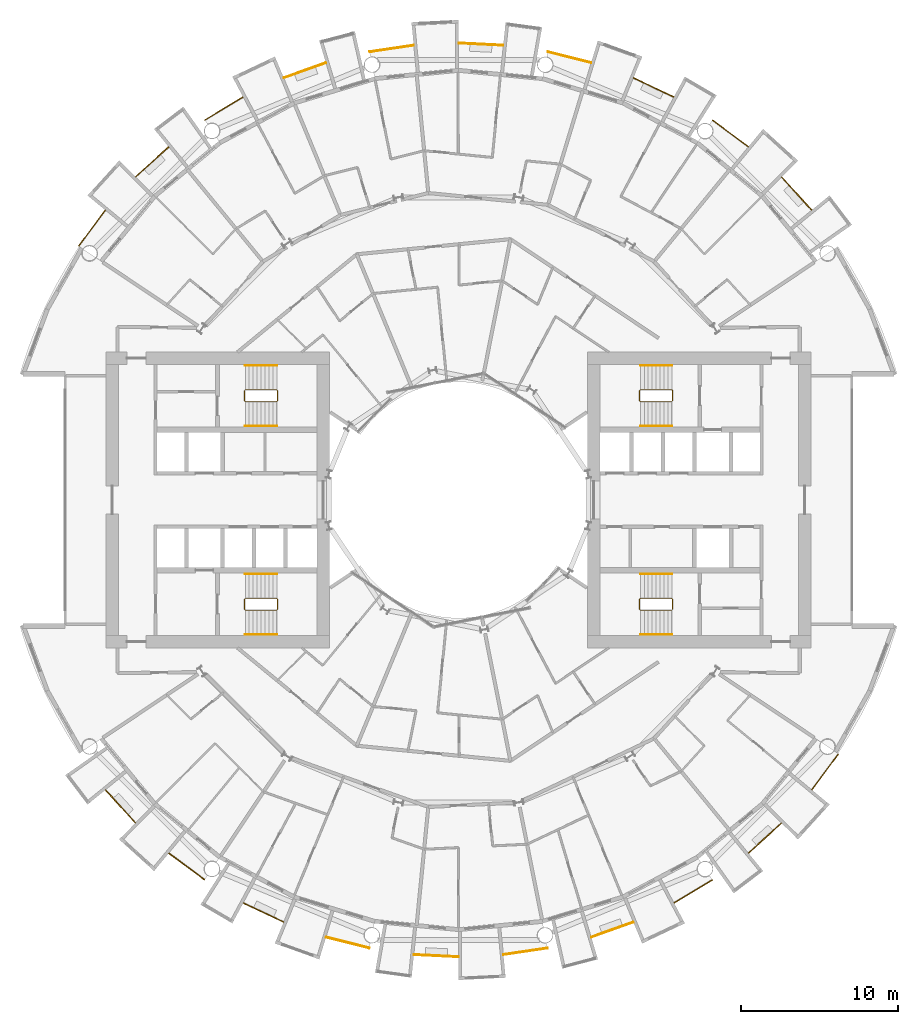
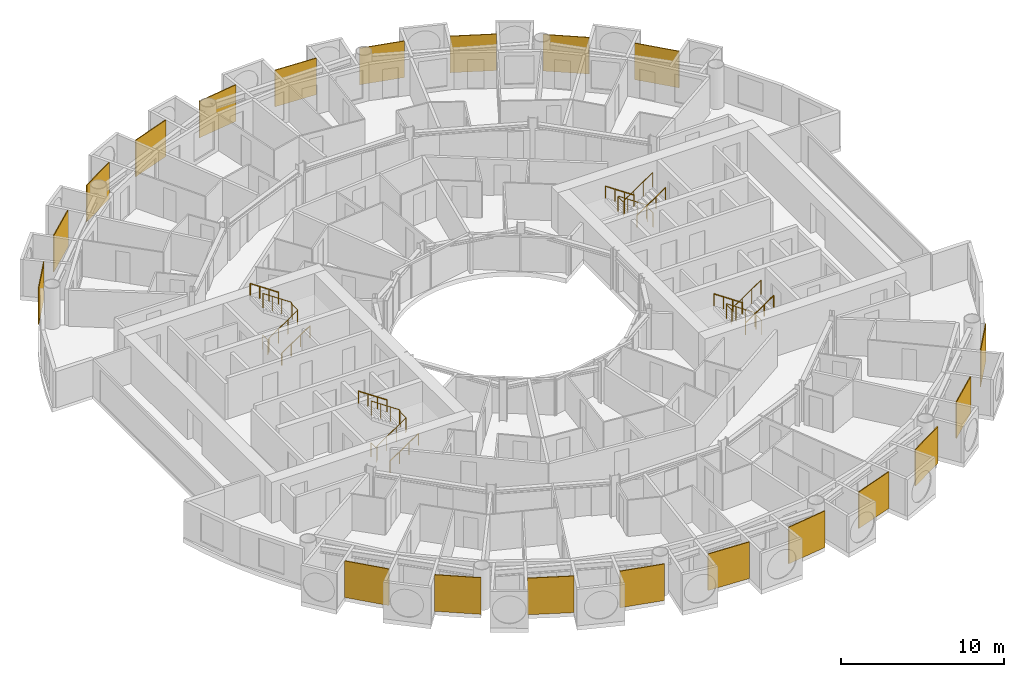
# One storey, part 26 of 26: 32 railings.
"""IFC4 building model written with IfcOpenShell, lengths in metres."""

from ifc_helpers import new_model, si_unit, direction, frame, origin, origin_2d, place, context, subcontext, project, spatial, polyline, circle, outline, extrude, material, layer, layer_set, type_object, element, save


model = new_model("IFC4")

# Units and contexts
model_context = context("Model", 3, precision=1e-05, world=origin(), true_north=direction((0.0, 1.0)))
body_context = subcontext(model_context, "Body", "Model", "MODEL_VIEW")
ifc_project = project(units=[si_unit("LENGTHUNIT", "METRE"), si_unit("AREAUNIT", "SQUARE_METRE"), si_unit("VOLUMEUNIT", "CUBIC_METRE"), si_unit("PLANEANGLEUNIT", "RADIAN"), si_unit("MASSUNIT", "GRAM", prefix="KILO")], contexts=[model_context])

# Site, building, storey
site_placement = place(None, origin())
site = spatial("IfcSite", under=ifc_project, at=site_placement, CompositionType="ELEMENT")
building_placement = place(site_placement, origin())
building = spatial("IfcBuilding", under=site, at=building_placement, Name="Maasbend Ring Residences", CompositionType="ELEMENT")
storey_placement = place(building_placement, frame((0.0, 0.0, 25.85009765625)))
storey = spatial("IfcBuildingStorey", under=building, at=storey_placement, Name="L06", CompositionType="ELEMENT", Elevation=25.85009765625)

# Railings
ifc_material_1 = material(Name="Pale anodised perforated aluminium", Category="aluminium")
ifc_layer = layer(ifc_material_1, 0.06005859375)
ifc_layer_set = layer_set([ifc_layer], Name="SCREEN-P")
railing_type_1 = type_object("IfcRailingType", Name="SCREEN-P", PredefinedType="GUARDRAIL", material=ifc_layer_set)
railing_1_placement = place(storey_placement, frame((0.0, 0.0, -0.030029296875)))
element("IfcRailing", 1, at=railing_1_placement, inside=storey, type_object=railing_type_1, Name="Perforated screen guard 1", PredefinedType="GUARDRAIL", context=body_context, shape_type="SweptSolid", body=[
    extrude(outline(polyline([(22.4169921875, 18.39697265625), (20.506103515625, 20.506103515625), (20.551025390625, 20.5458984375), (22.4619140625, 18.43798828125), (22.4169921875, 18.39697265625)])), origin(), (0.0, 0.0, 1.0), 2.72998046875),
])
railing_2_placement = place(storey_placement, frame((0.0, 0.0, -0.030029296875)))
element("IfcRailing", 2, at=railing_2_placement, inside=storey, type_object=railing_type_1, Name="Perforated screen guard 2", PredefinedType="GUARDRAIL", context=body_context, shape_type="SweptSolid", body=[
    extrude(outline(polyline([(18.39697265625, 22.4169921875), (16.112060546875, 24.113037109375), (16.14697265625, 24.160888671875), (18.43310546875, 22.465087890625), (18.39697265625, 22.4169921875)])), origin(), (0.0, 0.0, 1.0), 2.72998046875),
])
railing_3_placement = place(storey_placement, frame((0.0, 0.0, -0.030029296875)))
element("IfcRailing", 3, at=railing_3_placement, inside=storey, type_object=railing_type_1, Name="Perforated screen guard 3", PredefinedType="GUARDRAIL", context=body_context, shape_type="SweptSolid", body=[
    extrude(outline(polyline([(13.6708984375, 25.575927734375), (11.097900390625, 26.79296875), (11.123046875, 26.846923828125), (13.696044921875, 25.6298828125), (13.6708984375, 25.575927734375)])), origin(), (0.0, 0.0, 1.0), 2.72998046875),
])
railing_4_placement = place(storey_placement, frame((0.0, 0.0, -0.030029296875)))
element("IfcRailing", 4, at=railing_4_placement, inside=storey, type_object=railing_type_1, Name="Perforated screen guard 4", PredefinedType="GUARDRAIL", context=body_context, shape_type="SweptSolid", body=[
    extrude(outline(polyline([(8.41796875, 27.7509765625), (5.657958984375, 28.443115234375), (5.672119140625, 28.5009765625), (8.43310546875, 27.80908203125), (8.41796875, 27.7509765625)])), origin(), (0.0, 0.0, 1.0), 2.72998046875),
])
railing_5_placement = place(storey_placement, frame((0.0, 0.0, -0.030029296875)))
element("IfcRailing", 5, at=railing_5_placement, inside=storey, type_object=railing_type_1, Name="Perforated screen guard 5", PredefinedType="GUARDRAIL", context=body_context, shape_type="SweptSolid", body=[
    extrude(outline(polyline([(2.842041015625, 28.860107421875), (0.0, 29.0), (0.0029296875, 29.06005859375), (2.844970703125, 28.919921875), (2.842041015625, 28.860107421875)])), origin(), (0.0, 0.0, 1.0), 2.72998046875),
])
railing_6_placement = place(storey_placement, frame((0.0, 0.0, -0.030029296875)))
element("IfcRailing", 6, at=railing_6_placement, inside=storey, type_object=railing_type_1, Name="Perforated screen guard 6", PredefinedType="GUARDRAIL", context=body_context, shape_type="SweptSolid", body=[
    extrude(outline(polyline([(-2.842041015625, 28.860107421875), (-5.657958984375, 28.443115234375), (-5.666015625, 28.501953125), (-2.85107421875, 28.919921875), (-2.842041015625, 28.860107421875)])), origin(), (0.0, 0.0, 1.0), 2.72998046875),
])
railing_7_placement = place(storey_placement, frame((0.0, 0.0, -0.030029296875)))
element("IfcRailing", 7, at=railing_7_placement, inside=storey, type_object=railing_type_1, Name="Perforated screen guard 7", PredefinedType="GUARDRAIL", context=body_context, shape_type="SweptSolid", body=[
    extrude(outline(polyline([(-8.41796875, 27.7509765625), (-11.097900390625, 26.79296875), (-11.117919921875, 26.84912109375), (-8.43798828125, 27.80810546875), (-8.41796875, 27.7509765625)])), origin(), (0.0, 0.0, 1.0), 2.72998046875),
])
railing_8_placement = place(storey_placement, frame((0.0, 0.0, -0.030029296875)))
element("IfcRailing", 8, at=railing_8_placement, inside=storey, type_object=railing_type_1, Name="Perforated screen guard 8", PredefinedType="GUARDRAIL", context=body_context, shape_type="SweptSolid", body=[
    extrude(outline(polyline([(-13.6708984375, 25.575927734375), (-16.112060546875, 24.113037109375), (-16.14208984375, 24.1640625), (-13.700927734375, 25.626953125), (-13.6708984375, 25.575927734375)])), origin(), (0.0, 0.0, 1.0), 2.72998046875),
])
railing_9_placement = place(storey_placement, frame((0.0, 0.0, -0.030029296875)))
element("IfcRailing", 9, at=railing_9_placement, inside=storey, type_object=railing_type_1, Name="Perforated screen guard 9", PredefinedType="GUARDRAIL", context=body_context, shape_type="SweptSolid", body=[
    extrude(outline(polyline([(-18.39697265625, 22.4169921875), (-20.506103515625, 20.506103515625), (-20.5458984375, 20.551025390625), (-18.43798828125, 22.4619140625), (-18.39697265625, 22.4169921875)])), origin(), (0.0, 0.0, 1.0), 2.72998046875),
])
railing_10_placement = place(storey_placement, frame((0.0, 0.0, -0.030029296875)))
element("IfcRailing", 10, at=railing_10_placement, inside=storey, type_object=railing_type_1, Name="Perforated screen guard 10", PredefinedType="GUARDRAIL", context=body_context, shape_type="SweptSolid", body=[
    extrude(outline(polyline([(-22.4169921875, 18.39697265625), (-24.113037109375, 16.112060546875), (-24.160888671875, 16.14697265625), (-22.465087890625, 18.43310546875), (-22.4169921875, 18.39697265625)])), origin(), (0.0, 0.0, 1.0), 2.72998046875),
])
railing_11_placement = place(storey_placement, frame((0.0, 0.0, -0.030029296875)))
element("IfcRailing", 11, at=railing_11_placement, inside=storey, type_object=railing_type_1, Name="Perforated screen guard 1", PredefinedType="GUARDRAIL", context=body_context, shape_type="SweptSolid", body=[
    extrude(outline(polyline([(-22.4169921875, -18.39697265625), (-20.506103515625, -20.506103515625), (-20.551025390625, -20.5458984375), (-22.4619140625, -18.43798828125), (-22.4169921875, -18.39697265625)])), origin(), (0.0, 0.0, 1.0), 2.72998046875),
])
railing_12_placement = place(storey_placement, frame((0.0, 0.0, -0.030029296875)))
element("IfcRailing", 12, at=railing_12_placement, inside=storey, type_object=railing_type_1, Name="Perforated screen guard 2", PredefinedType="GUARDRAIL", context=body_context, shape_type="SweptSolid", body=[
    extrude(outline(polyline([(-18.39697265625, -22.4169921875), (-16.112060546875, -24.113037109375), (-16.14697265625, -24.160888671875), (-18.43310546875, -22.465087890625), (-18.39697265625, -22.4169921875)])), origin(), (0.0, 0.0, 1.0), 2.72998046875),
])
railing_13_placement = place(storey_placement, frame((0.0, 0.0, -0.030029296875)))
element("IfcRailing", 13, at=railing_13_placement, inside=storey, type_object=railing_type_1, Name="Perforated screen guard 3", PredefinedType="GUARDRAIL", context=body_context, shape_type="SweptSolid", body=[
    extrude(outline(polyline([(-13.6708984375, -25.575927734375), (-11.097900390625, -26.79296875), (-11.123046875, -26.846923828125), (-13.696044921875, -25.6298828125), (-13.6708984375, -25.575927734375)])), origin(), (0.0, 0.0, 1.0), 2.72998046875),
])
railing_14_placement = place(storey_placement, frame((0.0, 0.0, -0.030029296875)))
element("IfcRailing", 14, at=railing_14_placement, inside=storey, type_object=railing_type_1, Name="Perforated screen guard 4", PredefinedType="GUARDRAIL", context=body_context, shape_type="SweptSolid", body=[
    extrude(outline(polyline([(-8.41796875, -27.7509765625), (-5.657958984375, -28.443115234375), (-5.672119140625, -28.5009765625), (-8.43310546875, -27.80908203125), (-8.41796875, -27.7509765625)])), origin(), (0.0, 0.0, 1.0), 2.72998046875),
])
railing_15_placement = place(storey_placement, frame((0.0, 0.0, -0.030029296875)))
element("IfcRailing", 15, at=railing_15_placement, inside=storey, type_object=railing_type_1, Name="Perforated screen guard 5", PredefinedType="GUARDRAIL", context=body_context, shape_type="SweptSolid", body=[
    extrude(outline(polyline([(-2.842041015625, -28.860107421875), (0.0, -29.0), (-0.0029296875, -29.06005859375), (-2.844970703125, -28.919921875), (-2.842041015625, -28.860107421875)])), origin(), (0.0, 0.0, 1.0), 2.72998046875),
])
railing_16_placement = place(storey_placement, frame((0.0, 0.0, -0.030029296875)))
element("IfcRailing", 16, at=railing_16_placement, inside=storey, type_object=railing_type_1, Name="Perforated screen guard 6", PredefinedType="GUARDRAIL", context=body_context, shape_type="SweptSolid", body=[
    extrude(outline(polyline([(2.842041015625, -28.860107421875), (5.657958984375, -28.443115234375), (5.666015625, -28.501953125), (2.85107421875, -28.919921875), (2.842041015625, -28.860107421875)])), origin(), (0.0, 0.0, 1.0), 2.72998046875),
])
railing_17_placement = place(storey_placement, frame((0.0, 0.0, -0.030029296875)))
element("IfcRailing", 17, at=railing_17_placement, inside=storey, type_object=railing_type_1, Name="Perforated screen guard 7", PredefinedType="GUARDRAIL", context=body_context, shape_type="SweptSolid", body=[
    extrude(outline(polyline([(8.41796875, -27.7509765625), (11.097900390625, -26.79296875), (11.117919921875, -26.84912109375), (8.43798828125, -27.80810546875), (8.41796875, -27.7509765625)])), origin(), (0.0, 0.0, 1.0), 2.72998046875),
])
railing_18_placement = place(storey_placement, frame((0.0, 0.0, -0.030029296875)))
element("IfcRailing", 18, at=railing_18_placement, inside=storey, type_object=railing_type_1, Name="Perforated screen guard 8", PredefinedType="GUARDRAIL", context=body_context, shape_type="SweptSolid", body=[
    extrude(outline(polyline([(13.6708984375, -25.575927734375), (16.112060546875, -24.113037109375), (16.14208984375, -24.1640625), (13.700927734375, -25.626953125), (13.6708984375, -25.575927734375)])), origin(), (0.0, 0.0, 1.0), 2.72998046875),
])
railing_19_placement = place(storey_placement, frame((0.0, 0.0, -0.030029296875)))
element("IfcRailing", 19, at=railing_19_placement, inside=storey, type_object=railing_type_1, Name="Perforated screen guard 9", PredefinedType="GUARDRAIL", context=body_context, shape_type="SweptSolid", body=[
    extrude(outline(polyline([(18.39697265625, -22.4169921875), (20.506103515625, -20.506103515625), (20.5458984375, -20.551025390625), (18.43798828125, -22.4619140625), (18.39697265625, -22.4169921875)])), origin(), (0.0, 0.0, 1.0), 2.72998046875),
])
railing_20_placement = place(storey_placement, frame((0.0, 0.0, -0.030029296875)))
element("IfcRailing", 20, at=railing_20_placement, inside=storey, type_object=railing_type_1, Name="Perforated screen guard 10", PredefinedType="GUARDRAIL", context=body_context, shape_type="SweptSolid", body=[
    extrude(outline(polyline([(22.4169921875, -18.39697265625), (24.113037109375, -16.112060546875), (24.160888671875, -16.14697265625), (22.465087890625, -18.43310546875), (22.4169921875, -18.39697265625)])), origin(), (0.0, 0.0, 1.0), 2.72998046875),
])
ifc_material_2 = material(Name="Stainless steel 316", Category="steel")
railing_type_2 = type_object("IfcRailingType", Name="STAIR GUARD 1100", PredefinedType="GUARDRAIL", material=ifc_material_2)
railing_21_placement = place(storey_placement, frame((13.60009765625, 6.300048828125, 0.0)))
element("IfcRailing", 21, at=railing_21_placement, inside=storey, type_object=railing_type_2, Name="L06 ST-E1 stair guard 1", PredefinedType="GUARDRAIL", context=body_context, shape_type="SweptSolid", body=[
    extrude(circle(Radius=0.02392578125, at=origin_2d()), frame((0.0, 0.0, 1.076171875), z_axis=(0.0, 1.0, 0.0), x_axis=(-1.0, 0.0, 0.0)), (0.0, 0.0, 1.0), 0.64990234375),
    extrude(circle(Radius=0.02392578125, at=origin_2d()), frame((0.0, 0.64990234375, 1.076171875), z_axis=(-0.272562526181, 0.272562526181, 0.92272386912), x_axis=(-0.707106781187, -0.707106781187, 0.0)), (0.0, 0.0, 1.0), 0.18359375),
    extrude(circle(Radius=0.02392578125, at=origin_2d()), frame((-0.050048828125, 0.699951171875, 1.24560546875), z_axis=(-0.827797584762, 0.0, 0.561026878735), x_axis=(0.0, -1.0, 0.0)), (0.0, 0.0, 1.0), 2.416015625),
    extrude(circle(Radius=0.02392578125, at=origin_2d()), frame((-2.050048828125, 0.699951171875, 2.60107421875), z_axis=(-0.707106781187, -0.707106781187, 0.0), x_axis=(0.707106781187, -0.707106781187, 0.0)), (0.0, 0.0, 1.0), 0.07080078125),
    extrude(circle(Radius=0.02392578125, at=origin_2d()), frame((-2.10009765625, 0.64990234375, 2.60107421875), z_axis=(0.0, -1.0, 0.0), x_axis=(1.0, 0.0, 0.0)), (0.0, 0.0, 1.0), 0.64990234375),
    extrude(circle(Radius=0.02392578125, at=origin_2d()), frame((-2.10009765625, 0.0, 2.60107421875), z_axis=(0.272562526181, -0.272562526181, 0.92272386912), x_axis=(0.707106781187, 0.707106781187, 0.0)), (0.0, 0.0, 1.0), 0.18359375),
    extrude(circle(Radius=0.02392578125, at=origin_2d()), frame((-2.050048828125, -0.050048828125, 2.7705078125), z_axis=(0.827797584762, 0.0, 0.561026878735), x_axis=(0.0, 1.0, 0.0)), (0.0, 0.0, 1.0), 2.416015625),
    extrude(circle(Radius=0.02099609375, at=origin_2d()), origin(), (0.0, 0.0, 1.0), 1.052001953125),
    extrude(circle(Radius=0.02099609375, at=origin_2d()), frame((0.0, 0.64990234375, 0.0)), (0.0, 0.0, 1.0), 1.052001953125),
    extrude(circle(Radius=0.02099609375, at=origin_2d()), frame((-0.050048828125, 0.699951171875, 0.16943359375)), (0.0, 0.0, 1.0), 1.052001953125),
    extrude(circle(Radius=0.02099609375, at=origin_2d()), frame((-0.716796875, 0.699951171875, 0.621337890625)), (0.0, 0.0, 1.0), 1.052001953125),
    extrude(circle(Radius=0.02099609375, at=origin_2d()), frame((-1.38330078125, 0.699951171875, 1.072998046875)), (0.0, 0.0, 1.0), 1.052001953125),
    extrude(circle(Radius=0.02099609375, at=origin_2d()), frame((-2.050048828125, 0.699951171875, 1.52490234375)), (0.0, 0.0, 1.0), 1.052001953125),
    extrude(circle(Radius=0.02099609375, at=origin_2d()), frame((-2.10009765625, 0.64990234375, 1.52490234375)), (0.0, 0.0, 1.0), 1.052001953125),
    extrude(circle(Radius=0.02099609375, at=origin_2d()), frame((-2.10009765625, 0.0, 1.52490234375)), (0.0, 0.0, 1.0), 1.052001953125),
    extrude(circle(Radius=0.02099609375, at=origin_2d()), frame((-2.050048828125, -0.050048828125, 1.6943359375)), (0.0, 0.0, 1.0), 1.052001953125),
    extrude(circle(Radius=0.02099609375, at=origin_2d()), frame((-1.38330078125, -0.050048828125, 2.146240234375)), (0.0, 0.0, 1.0), 1.052001953125),
    extrude(circle(Radius=0.02099609375, at=origin_2d()), frame((-0.716796875, -0.050048828125, 2.597900390625)), (0.0, 0.0, 1.0), 1.052001953125),
    extrude(circle(Radius=0.02099609375, at=origin_2d()), frame((-0.050048828125, -0.050048828125, 3.0498046875)), (0.0, 0.0, 1.0), 1.052001953125),
])
railing_22_placement = place(storey_placement, frame((13.60009765625, -6.949951171875, 0.0)))
element("IfcRailing", 22, at=railing_22_placement, inside=storey, type_object=railing_type_2, Name="L06 ST-E2 stair guard 1", PredefinedType="GUARDRAIL", context=body_context, shape_type="SweptSolid", body=[
    extrude(circle(Radius=0.02392578125, at=origin_2d()), frame((0.0, 0.0, 1.076171875), z_axis=(0.0, 1.0, 0.0), x_axis=(-1.0, 0.0, 0.0)), (0.0, 0.0, 1.0), 0.64990234375),
    extrude(circle(Radius=0.02392578125, at=origin_2d()), frame((0.0, 0.64990234375, 1.076171875), z_axis=(-0.272562526181, 0.272562526181, 0.92272386912), x_axis=(-0.707106781187, -0.707106781187, 0.0)), (0.0, 0.0, 1.0), 0.18359375),
    extrude(circle(Radius=0.02392578125, at=origin_2d()), frame((-0.050048828125, 0.699951171875, 1.24560546875), z_axis=(-0.827797584762, 0.0, 0.561026878735), x_axis=(0.0, -1.0, 0.0)), (0.0, 0.0, 1.0), 2.416015625),
    extrude(circle(Radius=0.02392578125, at=origin_2d()), frame((-2.050048828125, 0.699951171875, 2.60107421875), z_axis=(-0.707106781187, -0.707106781187, 0.0), x_axis=(0.707106781187, -0.707106781187, 0.0)), (0.0, 0.0, 1.0), 0.07080078125),
    extrude(circle(Radius=0.02392578125, at=origin_2d()), frame((-2.10009765625, 0.64990234375, 2.60107421875), z_axis=(0.0, -1.0, 0.0), x_axis=(1.0, 0.0, 0.0)), (0.0, 0.0, 1.0), 0.64990234375),
    extrude(circle(Radius=0.02392578125, at=origin_2d()), frame((-2.10009765625, 0.0, 2.60107421875), z_axis=(0.272562526181, -0.272562526181, 0.92272386912), x_axis=(0.707106781187, 0.707106781187, 0.0)), (0.0, 0.0, 1.0), 0.18359375),
    extrude(circle(Radius=0.02392578125, at=origin_2d()), frame((-2.050048828125, -0.050048828125, 2.7705078125), z_axis=(0.827797584762, 0.0, 0.561026878735), x_axis=(0.0, 1.0, 0.0)), (0.0, 0.0, 1.0), 2.416015625),
    extrude(circle(Radius=0.02099609375, at=origin_2d()), origin(), (0.0, 0.0, 1.0), 1.052001953125),
    extrude(circle(Radius=0.02099609375, at=origin_2d()), frame((0.0, 0.64990234375, 0.0)), (0.0, 0.0, 1.0), 1.052001953125),
    extrude(circle(Radius=0.02099609375, at=origin_2d()), frame((-0.050048828125, 0.699951171875, 0.16943359375)), (0.0, 0.0, 1.0), 1.052001953125),
    extrude(circle(Radius=0.02099609375, at=origin_2d()), frame((-0.716796875, 0.699951171875, 0.621337890625)), (0.0, 0.0, 1.0), 1.052001953125),
    extrude(circle(Radius=0.02099609375, at=origin_2d()), frame((-1.38330078125, 0.699951171875, 1.072998046875)), (0.0, 0.0, 1.0), 1.052001953125),
    extrude(circle(Radius=0.02099609375, at=origin_2d()), frame((-2.050048828125, 0.699951171875, 1.52490234375)), (0.0, 0.0, 1.0), 1.052001953125),
    extrude(circle(Radius=0.02099609375, at=origin_2d()), frame((-2.10009765625, 0.64990234375, 1.52490234375)), (0.0, 0.0, 1.0), 1.052001953125),
    extrude(circle(Radius=0.02099609375, at=origin_2d()), frame((-2.10009765625, 0.0, 1.52490234375)), (0.0, 0.0, 1.0), 1.052001953125),
    extrude(circle(Radius=0.02099609375, at=origin_2d()), frame((-2.050048828125, -0.050048828125, 1.6943359375)), (0.0, 0.0, 1.0), 1.052001953125),
    extrude(circle(Radius=0.02099609375, at=origin_2d()), frame((-1.38330078125, -0.050048828125, 2.146240234375)), (0.0, 0.0, 1.0), 1.052001953125),
    extrude(circle(Radius=0.02099609375, at=origin_2d()), frame((-0.716796875, -0.050048828125, 2.597900390625)), (0.0, 0.0, 1.0), 1.052001953125),
    extrude(circle(Radius=0.02099609375, at=origin_2d()), frame((-0.050048828125, -0.050048828125, 3.0498046875)), (0.0, 0.0, 1.0), 1.052001953125),
])
railing_23_placement = place(storey_placement, frame((-13.60009765625, -6.300048828125, 0.0)))
element("IfcRailing", 23, at=railing_23_placement, inside=storey, type_object=railing_type_2, Name="L06 ST-W1 stair guard 1", PredefinedType="GUARDRAIL", context=body_context, shape_type="SweptSolid", body=[
    extrude(circle(Radius=0.02392578125, at=origin_2d()), frame((0.0, 0.0, 1.076171875), z_axis=(0.0, -1.0, 0.0), x_axis=(1.0, 0.0, 0.0)), (0.0, 0.0, 1.0), 0.64990234375),
    extrude(circle(Radius=0.02392578125, at=origin_2d()), frame((0.0, -0.64990234375, 1.076171875), z_axis=(0.272562526181, -0.272562526181, 0.92272386912), x_axis=(0.707106781187, 0.707106781187, 0.0)), (0.0, 0.0, 1.0), 0.18359375),
    extrude(circle(Radius=0.02392578125, at=origin_2d()), frame((0.050048828125, -0.699951171875, 1.24560546875), z_axis=(0.827797584762, 0.0, 0.561026878735), x_axis=(0.0, 1.0, 0.0)), (0.0, 0.0, 1.0), 2.416015625),
    extrude(circle(Radius=0.02392578125, at=origin_2d()), frame((2.050048828125, -0.699951171875, 2.60107421875), z_axis=(0.707106781187, 0.707106781187, 0.0), x_axis=(-0.707106781187, 0.707106781187, 0.0)), (0.0, 0.0, 1.0), 0.07080078125),
    extrude(circle(Radius=0.02392578125, at=origin_2d()), frame((2.10009765625, -0.64990234375, 2.60107421875), z_axis=(0.0, 1.0, 0.0), x_axis=(-1.0, 0.0, 0.0)), (0.0, 0.0, 1.0), 0.64990234375),
    extrude(circle(Radius=0.02392578125, at=origin_2d()), frame((2.10009765625, 0.0, 2.60107421875), z_axis=(-0.272562526181, 0.272562526181, 0.92272386912), x_axis=(-0.707106781187, -0.707106781187, 0.0)), (0.0, 0.0, 1.0), 0.18359375),
    extrude(circle(Radius=0.02392578125, at=origin_2d()), frame((2.050048828125, 0.050048828125, 2.7705078125), z_axis=(-0.827797584762, 0.0, 0.561026878735), x_axis=(0.0, -1.0, 0.0)), (0.0, 0.0, 1.0), 2.416015625),
    extrude(circle(Radius=0.02099609375, at=origin_2d()), origin(), (0.0, 0.0, 1.0), 1.052001953125),
    extrude(circle(Radius=0.02099609375, at=origin_2d()), frame((0.0, -0.64990234375, 0.0)), (0.0, 0.0, 1.0), 1.052001953125),
    extrude(circle(Radius=0.02099609375, at=origin_2d()), frame((0.050048828125, -0.699951171875, 0.16943359375)), (0.0, 0.0, 1.0), 1.052001953125),
    extrude(circle(Radius=0.02099609375, at=origin_2d()), frame((0.716796875, -0.699951171875, 0.621337890625)), (0.0, 0.0, 1.0), 1.052001953125),
    extrude(circle(Radius=0.02099609375, at=origin_2d()), frame((1.38330078125, -0.699951171875, 1.072998046875)), (0.0, 0.0, 1.0), 1.052001953125),
    extrude(circle(Radius=0.02099609375, at=origin_2d()), frame((2.050048828125, -0.699951171875, 1.52490234375)), (0.0, 0.0, 1.0), 1.052001953125),
    extrude(circle(Radius=0.02099609375, at=origin_2d()), frame((2.10009765625, -0.64990234375, 1.52490234375)), (0.0, 0.0, 1.0), 1.052001953125),
    extrude(circle(Radius=0.02099609375, at=origin_2d()), frame((2.10009765625, 0.0, 1.52490234375)), (0.0, 0.0, 1.0), 1.052001953125),
    extrude(circle(Radius=0.02099609375, at=origin_2d()), frame((2.050048828125, 0.050048828125, 1.6943359375)), (0.0, 0.0, 1.0), 1.052001953125),
    extrude(circle(Radius=0.02099609375, at=origin_2d()), frame((1.38330078125, 0.050048828125, 2.146240234375)), (0.0, 0.0, 1.0), 1.052001953125),
    extrude(circle(Radius=0.02099609375, at=origin_2d()), frame((0.716796875, 0.050048828125, 2.597900390625)), (0.0, 0.0, 1.0), 1.052001953125),
    extrude(circle(Radius=0.02099609375, at=origin_2d()), frame((0.050048828125, 0.050048828125, 3.0498046875)), (0.0, 0.0, 1.0), 1.052001953125),
])
railing_24_placement = place(storey_placement, frame((-13.60009765625, 6.949951171875, 0.0)))
element("IfcRailing", 24, at=railing_24_placement, inside=storey, type_object=railing_type_2, Name="L06 ST-W2 stair guard 1", PredefinedType="GUARDRAIL", context=body_context, shape_type="SweptSolid", body=[
    extrude(circle(Radius=0.02392578125, at=origin_2d()), frame((0.0, 0.0, 1.076171875), z_axis=(0.0, -1.0, 0.0), x_axis=(1.0, 0.0, 0.0)), (0.0, 0.0, 1.0), 0.64990234375),
    extrude(circle(Radius=0.02392578125, at=origin_2d()), frame((0.0, -0.64990234375, 1.076171875), z_axis=(0.272562526181, -0.272562526181, 0.92272386912), x_axis=(0.707106781187, 0.707106781187, 0.0)), (0.0, 0.0, 1.0), 0.18359375),
    extrude(circle(Radius=0.02392578125, at=origin_2d()), frame((0.050048828125, -0.699951171875, 1.24560546875), z_axis=(0.827797584762, 0.0, 0.561026878735), x_axis=(0.0, 1.0, 0.0)), (0.0, 0.0, 1.0), 2.416015625),
    extrude(circle(Radius=0.02392578125, at=origin_2d()), frame((2.050048828125, -0.699951171875, 2.60107421875), z_axis=(0.707106781187, 0.707106781187, 0.0), x_axis=(-0.707106781187, 0.707106781187, 0.0)), (0.0, 0.0, 1.0), 0.07080078125),
    extrude(circle(Radius=0.02392578125, at=origin_2d()), frame((2.10009765625, -0.64990234375, 2.60107421875), z_axis=(0.0, 1.0, 0.0), x_axis=(-1.0, 0.0, 0.0)), (0.0, 0.0, 1.0), 0.64990234375),
    extrude(circle(Radius=0.02392578125, at=origin_2d()), frame((2.10009765625, 0.0, 2.60107421875), z_axis=(-0.272562526181, 0.272562526181, 0.92272386912), x_axis=(-0.707106781187, -0.707106781187, 0.0)), (0.0, 0.0, 1.0), 0.18359375),
    extrude(circle(Radius=0.02392578125, at=origin_2d()), frame((2.050048828125, 0.050048828125, 2.7705078125), z_axis=(-0.827797584762, 0.0, 0.561026878735), x_axis=(0.0, -1.0, 0.0)), (0.0, 0.0, 1.0), 2.416015625),
    extrude(circle(Radius=0.02099609375, at=origin_2d()), origin(), (0.0, 0.0, 1.0), 1.052001953125),
    extrude(circle(Radius=0.02099609375, at=origin_2d()), frame((0.0, -0.64990234375, 0.0)), (0.0, 0.0, 1.0), 1.052001953125),
    extrude(circle(Radius=0.02099609375, at=origin_2d()), frame((0.050048828125, -0.699951171875, 0.16943359375)), (0.0, 0.0, 1.0), 1.052001953125),
    extrude(circle(Radius=0.02099609375, at=origin_2d()), frame((0.716796875, -0.699951171875, 0.621337890625)), (0.0, 0.0, 1.0), 1.052001953125),
    extrude(circle(Radius=0.02099609375, at=origin_2d()), frame((1.38330078125, -0.699951171875, 1.072998046875)), (0.0, 0.0, 1.0), 1.052001953125),
    extrude(circle(Radius=0.02099609375, at=origin_2d()), frame((2.050048828125, -0.699951171875, 1.52490234375)), (0.0, 0.0, 1.0), 1.052001953125),
    extrude(circle(Radius=0.02099609375, at=origin_2d()), frame((2.10009765625, -0.64990234375, 1.52490234375)), (0.0, 0.0, 1.0), 1.052001953125),
    extrude(circle(Radius=0.02099609375, at=origin_2d()), frame((2.10009765625, 0.0, 1.52490234375)), (0.0, 0.0, 1.0), 1.052001953125),
    extrude(circle(Radius=0.02099609375, at=origin_2d()), frame((2.050048828125, 0.050048828125, 1.6943359375)), (0.0, 0.0, 1.0), 1.052001953125),
    extrude(circle(Radius=0.02099609375, at=origin_2d()), frame((1.38330078125, 0.050048828125, 2.146240234375)), (0.0, 0.0, 1.0), 1.052001953125),
    extrude(circle(Radius=0.02099609375, at=origin_2d()), frame((0.716796875, 0.050048828125, 2.597900390625)), (0.0, 0.0, 1.0), 1.052001953125),
    extrude(circle(Radius=0.02099609375, at=origin_2d()), frame((0.050048828125, 0.050048828125, 3.0498046875)), (0.0, 0.0, 1.0), 1.052001953125),
])
ifc_material_3 = material(Name="Stainless steel 316", Category="steel")
railing_type_3 = type_object("IfcRailingType", Name="STAIR HANDRAIL 900", PredefinedType="HANDRAIL", material=ifc_material_3)
railing_25_placement = place(storey_placement, frame((13.550048828125, 8.550048828125, 0.16943359375)))
element("IfcRailing", 25, at=railing_25_placement, inside=storey, type_object=railing_type_3, Name="L06 ST-E1 stair handrail 1", PredefinedType="HANDRAIL", context=body_context, shape_type="SweptSolid", body=[
    extrude(circle(Radius=0.02392578125, at=origin_2d()), frame((0.0, 0.0, 0.8759765625), z_axis=(-0.827797584762, 0.0, 0.561026878735), x_axis=(0.0, -1.0, 0.0)), (0.0, 0.0, 1.0), 2.416015625),
    extrude(circle(Radius=0.02099609375, at=origin_2d()), origin(), (0.0, 0.0, 1.0), 0.851806640625),
    extrude(circle(Radius=0.02099609375, at=origin_2d()), frame((-0.666748046875, 0.0, 0.451904296875)), (0.0, 0.0, 1.0), 0.851806640625),
    extrude(circle(Radius=0.02099609375, at=origin_2d()), frame((-1.333251953125, 0.0, 0.903564453125)), (0.0, 0.0, 1.0), 0.851806640625),
    extrude(circle(Radius=0.02099609375, at=origin_2d()), frame((-2.0, 0.0, 1.35546875)), (0.0, 0.0, 1.0), 0.851806640625),
])
railing_26_placement = place(storey_placement, frame((11.550048828125, 4.699951171875, 1.6943359375)))
element("IfcRailing", 26, at=railing_26_placement, inside=storey, type_object=railing_type_3, Name="L06 ST-E1 stair handrail 2", PredefinedType="HANDRAIL", context=body_context, shape_type="SweptSolid", body=[
    extrude(circle(Radius=0.02392578125, at=origin_2d()), frame((0.0, 0.0, 0.8759765625), z_axis=(0.827797584762, 0.0, 0.561026878735), x_axis=(0.0, 1.0, 0.0)), (0.0, 0.0, 1.0), 2.416015625),
    extrude(circle(Radius=0.02099609375, at=origin_2d()), origin(), (0.0, 0.0, 1.0), 0.851806640625),
    extrude(circle(Radius=0.02099609375, at=origin_2d()), frame((0.666748046875, 0.0, 0.451904296875)), (0.0, 0.0, 1.0), 0.851806640625),
    extrude(circle(Radius=0.02099609375, at=origin_2d()), frame((1.333251953125, 0.0, 0.903564453125)), (0.0, 0.0, 1.0), 0.851806640625),
    extrude(circle(Radius=0.02099609375, at=origin_2d()), frame((2.0, 0.0, 1.35546875)), (0.0, 0.0, 1.0), 0.851806640625),
])
railing_27_placement = place(storey_placement, frame((13.550048828125, -4.699951171875, 0.16943359375)))
element("IfcRailing", 27, at=railing_27_placement, inside=storey, type_object=railing_type_3, Name="L06 ST-E2 stair handrail 1", PredefinedType="HANDRAIL", context=body_context, shape_type="SweptSolid", body=[
    extrude(circle(Radius=0.02392578125, at=origin_2d()), frame((0.0, 0.0, 0.8759765625), z_axis=(-0.827797584762, 0.0, 0.561026878735), x_axis=(0.0, -1.0, 0.0)), (0.0, 0.0, 1.0), 2.416015625),
    extrude(circle(Radius=0.02099609375, at=origin_2d()), origin(), (0.0, 0.0, 1.0), 0.851806640625),
    extrude(circle(Radius=0.02099609375, at=origin_2d()), frame((-0.666748046875, 0.0, 0.451904296875)), (0.0, 0.0, 1.0), 0.851806640625),
    extrude(circle(Radius=0.02099609375, at=origin_2d()), frame((-1.333251953125, 0.0, 0.903564453125)), (0.0, 0.0, 1.0), 0.851806640625),
    extrude(circle(Radius=0.02099609375, at=origin_2d()), frame((-2.0, 0.0, 1.35546875)), (0.0, 0.0, 1.0), 0.851806640625),
])
for number, where, name in (
    (28, (11.550048828125, -8.550048828125, 1.6943359375), "L06 ST-E2 stair handrail 2"),
    (29, (-13.550048828125, -8.550048828125, 0.16943359375), "L06 ST-W1 stair handrail 1"),
):
    element("IfcRailing", number, at=place(storey_placement, frame(where)), inside=storey, type_object=railing_type_3, Name=name, PredefinedType="HANDRAIL", context=body_context, shape_type="SweptSolid", body=[
        extrude(circle(Radius=0.02392578125, at=origin_2d()), frame((0.0, 0.0, 0.8759765625), z_axis=(0.827797584762, 0.0, 0.561026878735), x_axis=(0.0, 1.0, 0.0)), (0.0, 0.0, 1.0), 2.416015625),
        extrude(circle(Radius=0.02099609375, at=origin_2d()), origin(), (0.0, 0.0, 1.0), 0.851806640625),
        extrude(circle(Radius=0.02099609375, at=origin_2d()), frame((0.666748046875, 0.0, 0.451904296875)), (0.0, 0.0, 1.0), 0.851806640625),
        extrude(circle(Radius=0.02099609375, at=origin_2d()), frame((1.333251953125, 0.0, 0.903564453125)), (0.0, 0.0, 1.0), 0.851806640625),
        extrude(circle(Radius=0.02099609375, at=origin_2d()), frame((2.0, 0.0, 1.35546875)), (0.0, 0.0, 1.0), 0.851806640625),
    ])
railing_28_placement = place(storey_placement, frame((-11.550048828125, -4.699951171875, 1.6943359375)))
element("IfcRailing", 30, at=railing_28_placement, inside=storey, type_object=railing_type_3, Name="L06 ST-W1 stair handrail 2", PredefinedType="HANDRAIL", context=body_context, shape_type="SweptSolid", body=[
    extrude(circle(Radius=0.02392578125, at=origin_2d()), frame((0.0, 0.0, 0.8759765625), z_axis=(-0.827797584762, 0.0, 0.561026878735), x_axis=(0.0, -1.0, 0.0)), (0.0, 0.0, 1.0), 2.416015625),
    extrude(circle(Radius=0.02099609375, at=origin_2d()), origin(), (0.0, 0.0, 1.0), 0.851806640625),
    extrude(circle(Radius=0.02099609375, at=origin_2d()), frame((-0.666748046875, 0.0, 0.451904296875)), (0.0, 0.0, 1.0), 0.851806640625),
    extrude(circle(Radius=0.02099609375, at=origin_2d()), frame((-1.333251953125, 0.0, 0.903564453125)), (0.0, 0.0, 1.0), 0.851806640625),
    extrude(circle(Radius=0.02099609375, at=origin_2d()), frame((-2.0, 0.0, 1.35546875)), (0.0, 0.0, 1.0), 0.851806640625),
])
railing_29_placement = place(storey_placement, frame((-13.550048828125, 4.699951171875, 0.16943359375)))
element("IfcRailing", 31, at=railing_29_placement, inside=storey, type_object=railing_type_3, Name="L06 ST-W2 stair handrail 1", PredefinedType="HANDRAIL", context=body_context, shape_type="SweptSolid", body=[
    extrude(circle(Radius=0.02392578125, at=origin_2d()), frame((0.0, 0.0, 0.8759765625), z_axis=(0.827797584762, 0.0, 0.561026878735), x_axis=(0.0, 1.0, 0.0)), (0.0, 0.0, 1.0), 2.416015625),
    extrude(circle(Radius=0.02099609375, at=origin_2d()), origin(), (0.0, 0.0, 1.0), 0.851806640625),
    extrude(circle(Radius=0.02099609375, at=origin_2d()), frame((0.666748046875, 0.0, 0.451904296875)), (0.0, 0.0, 1.0), 0.851806640625),
    extrude(circle(Radius=0.02099609375, at=origin_2d()), frame((1.333251953125, 0.0, 0.903564453125)), (0.0, 0.0, 1.0), 0.851806640625),
    extrude(circle(Radius=0.02099609375, at=origin_2d()), frame((2.0, 0.0, 1.35546875)), (0.0, 0.0, 1.0), 0.851806640625),
])
railing_30_placement = place(storey_placement, frame((-11.550048828125, 8.550048828125, 1.6943359375)))
element("IfcRailing", 32, at=railing_30_placement, inside=storey, type_object=railing_type_3, Name="L06 ST-W2 stair handrail 2", PredefinedType="HANDRAIL", context=body_context, shape_type="SweptSolid", body=[
    extrude(circle(Radius=0.02392578125, at=origin_2d()), frame((0.0, 0.0, 0.8759765625), z_axis=(-0.827797584762, 0.0, 0.561026878735), x_axis=(0.0, -1.0, 0.0)), (0.0, 0.0, 1.0), 2.416015625),
    extrude(circle(Radius=0.02099609375, at=origin_2d()), origin(), (0.0, 0.0, 1.0), 0.851806640625),
    extrude(circle(Radius=0.02099609375, at=origin_2d()), frame((-0.666748046875, 0.0, 0.451904296875)), (0.0, 0.0, 1.0), 0.851806640625),
    extrude(circle(Radius=0.02099609375, at=origin_2d()), frame((-1.333251953125, 0.0, 0.903564453125)), (0.0, 0.0, 1.0), 0.851806640625),
    extrude(circle(Radius=0.02099609375, at=origin_2d()), frame((-2.0, 0.0, 1.35546875)), (0.0, 0.0, 1.0), 0.851806640625),
])

save(model, "model.ifc")
